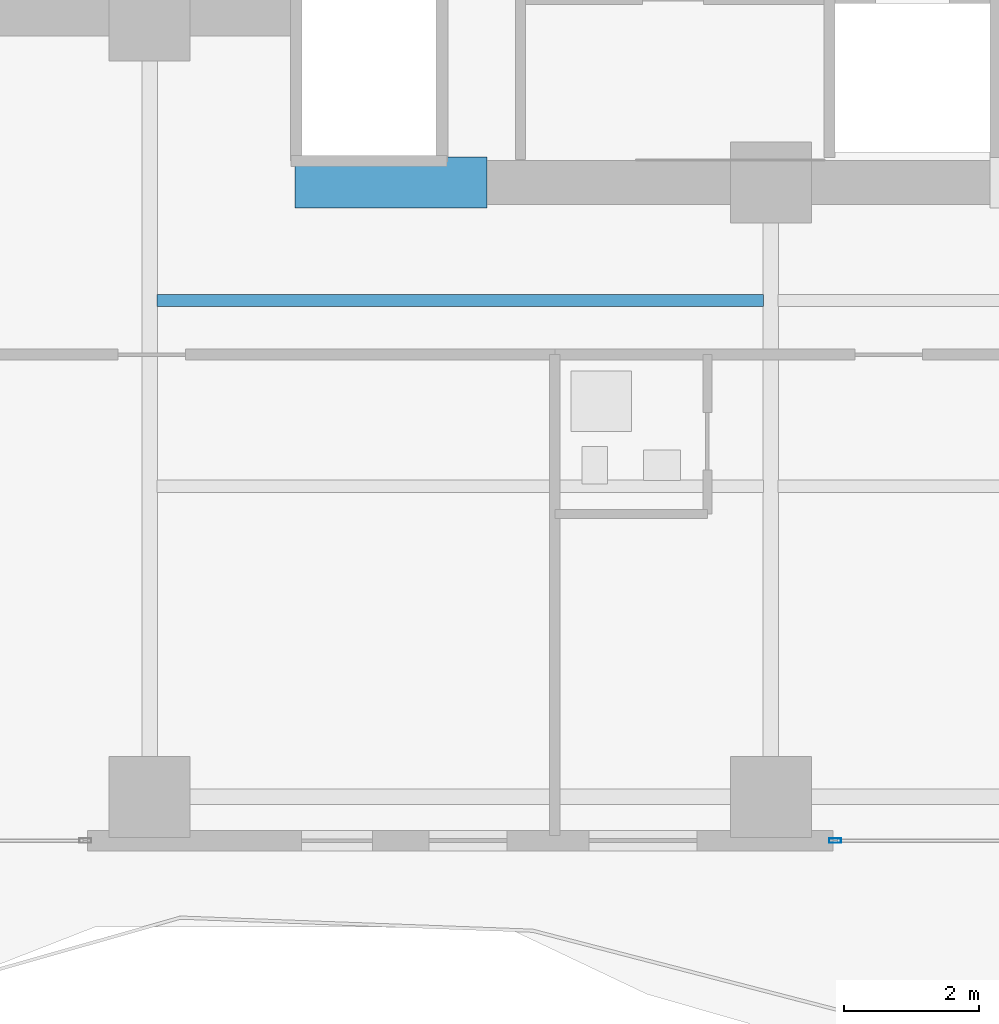
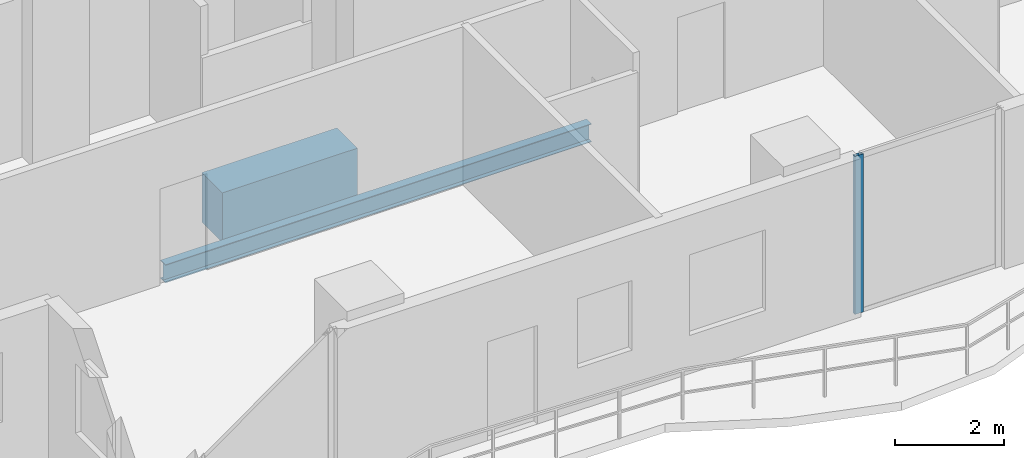
# One storey, part 5 of 33: 2 beams, 1 member, 1 element without a shape of its own.
"""IFC4 building model written with IfcOpenShell, lengths in metres."""

from ifc_helpers import new_model, si_unit, direction, frame, origin, origin_2d, place, context, subcontext, project, spatial, rectangle, hollow_rectangle, i_section, extrude, material, layer, layer_set, material_profile, profile_set, type_object, element, aggregate, save


model = new_model("IFC4")

# Units and contexts
model_context = context("Model", 3, precision=1e-05, world=origin(), true_north=direction((0.0, 1.0)))
body_context = subcontext(model_context, "Body", "Model", "MODEL_VIEW")
ifc_project = project(units=[si_unit("LENGTHUNIT", "METRE"), si_unit("AREAUNIT", "SQUARE_METRE"), si_unit("VOLUMEUNIT", "CUBIC_METRE"), si_unit("PLANEANGLEUNIT", "RADIAN"), si_unit("MASSUNIT", "GRAM", prefix="KILO")], contexts=[model_context])

# Site, building, storey
site_placement = place(None, origin())
site = spatial("IfcSite", under=ifc_project, at=site_placement, CompositionType="ELEMENT")
building_placement = place(site_placement, origin())
building = spatial("IfcBuilding", under=site, at=building_placement, Name="Zuhayl Quay Hotel", CompositionType="ELEMENT")
storey_placement = place(building_placement, frame((0.0, 0.0, 207.39990234375)))
storey = spatial("IfcBuildingStorey", under=building, at=storey_placement, Name="L52", CompositionType="ELEMENT", Elevation=207.39990234375)

# Beams
ifc_material_1 = material(Name="Concrete C60/75", Category="concrete")
ifc_material_profile_1 = material_profile(ifc_material_1, rectangle(XDim=0.75, YDim=1.10009765625, at=origin_2d()), Name="RC750X1100")
ifc_profile_set_1 = profile_set([ifc_material_profile_1], Name="Concrete C60/75")
beam_type_1 = type_object("IfcBeamType", Name="BM_CB2_RC750", PredefinedType="T_BEAM", material=ifc_profile_set_1)
beam_1_placement = place(storey_placement, frame((-11.64990234375, 2.14990234375, -0.77001953125), z_axis=(1.0, 0.0, 0.0), x_axis=(0.0, 1.0, 0.0)))
element("IfcBeam", 1, at=beam_1_placement, inside=storey, type_object=beam_type_1, Name="L52 Core Coupling Beam SW", PredefinedType="T_BEAM", context=body_context, shape_type="SweptSolid", body=[
    extrude(rectangle(XDim=0.75, YDim=1.10009765625, at=origin_2d()), origin(), (0.0, 0.0, 1.0), 2.849853515625),
])
ifc_material_2 = material(Name="Steel ASTM A992 Grade 50", Category="steel")
ifc_material_profile_2 = material_profile(ifc_material_2, i_section(OverallWidth=0.177978515625, OverallDepth=0.406005859375, WebThickness=0.0078125, FlangeThickness=0.0126953125, at=origin_2d()), Name="W16X40")
ifc_profile_set_2 = profile_set([ifc_material_profile_2], Name="Steel ASTM A992 Grade 50")
beam_type_2 = type_object("IfcBeamType", Name="BM_J2B_W16X40", PredefinedType="JOIST", material=ifc_profile_set_2)
beam_2_placement = place(storey_placement, frame((-13.694091796875, 0.39990234375, -0.4228515625), z_axis=(1.0, 0.0, 0.0), x_axis=(0.0, 1.0, 0.0)))
element("IfcBeam", 2, at=beam_2_placement, inside=storey, type_object=beam_type_2, Name="L52 Floor Beam FJ_L52_8_1", PredefinedType="JOIST", context=body_context, shape_type="SweptSolid", body=[
    extrude(i_section(OverallWidth=0.177978515625, OverallDepth=0.406005859375, WebThickness=0.0078125, FlangeThickness=0.0126953125, at=origin_2d()), origin(), (0.0, 0.0, 1.0), 8.988037109375),
])

# Curtain wall, member
ifc_material_3 = material(Name="Anodised Aluminium 6063-T6", Category="aluminium")
ifc_layer = layer(ifc_material_3, 0.175048828125, Name="Anodised Aluminium 6063-T6", Category="aluminium")
ifc_layer_set = layer_set([ifc_layer], Name="Anodised Aluminium 6063-T6")
curtain_wall_type = type_object("IfcCurtainWallType", Name="CW_SYS_Z3", PredefinedType="USERDEFINED", material=ifc_layer_set)
curtain_wall_placement = place(storey_placement, origin())
curtain_wall = element("IfcCurtainWall", 3, at=curtain_wall_placement, inside=storey, type_object=curtain_wall_type, Name="L52 Curtain Wall ENV_L52_S_CW4", ObjectType="UNITISED CURTAIN WALL", PredefinedType="USERDEFINED")
ifc_material_4 = material(Name="Black-anodised aluminium 6063-T6", Category="aluminium")
ifc_material_profile_3 = material_profile(ifc_material_4, hollow_rectangle(XDim=0.06494140625, YDim=0.179931640625, WallThickness=0.00341796875, at=origin_2d()), Name="ALU180X65")
ifc_profile_set_3 = profile_set([ifc_material_profile_3], Name="Black-anodised aluminium 6063-T6")
member_type = type_object("IfcMemberType", Name="MB_CW_MUL_180", PredefinedType="MULLION", material=ifc_profile_set_3)
member_placement = place(storey_placement, frame((-3.6474609375, -7.60009765625, 0.0), z_axis=(0.0, 0.0, 1.0), x_axis=(0.0, -1.0, 0.0)))
member = element("IfcMember", 4, at=member_placement, type_object=member_type, Name="CW-Z3 mullion 2", PredefinedType="MULLION", context=body_context, shape_type="SweptSolid", body=[
    extrude(hollow_rectangle(XDim=0.06494140625, YDim=0.179931640625, WallThickness=0.00341796875, at=origin_2d()), origin(), (0.0, 0.0, 1.0), 3.530029296875),
])
aggregate(curtain_wall, [member])

save(model, "model.ifc")
